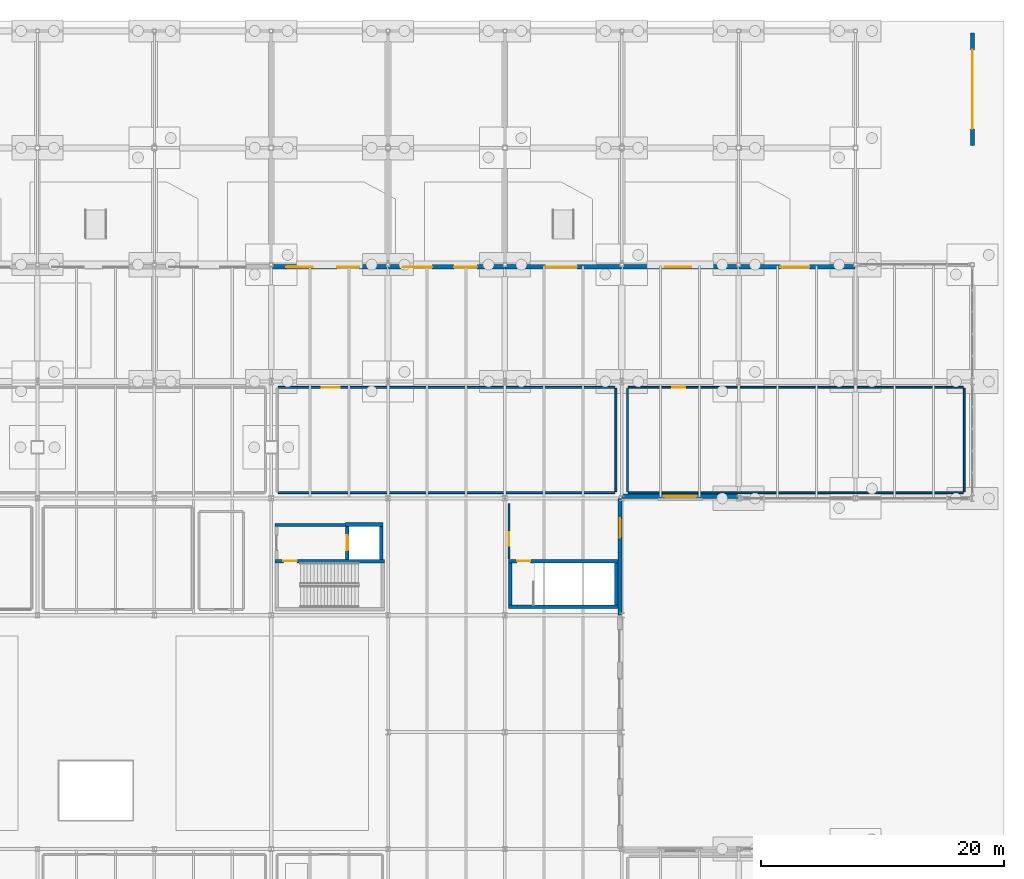
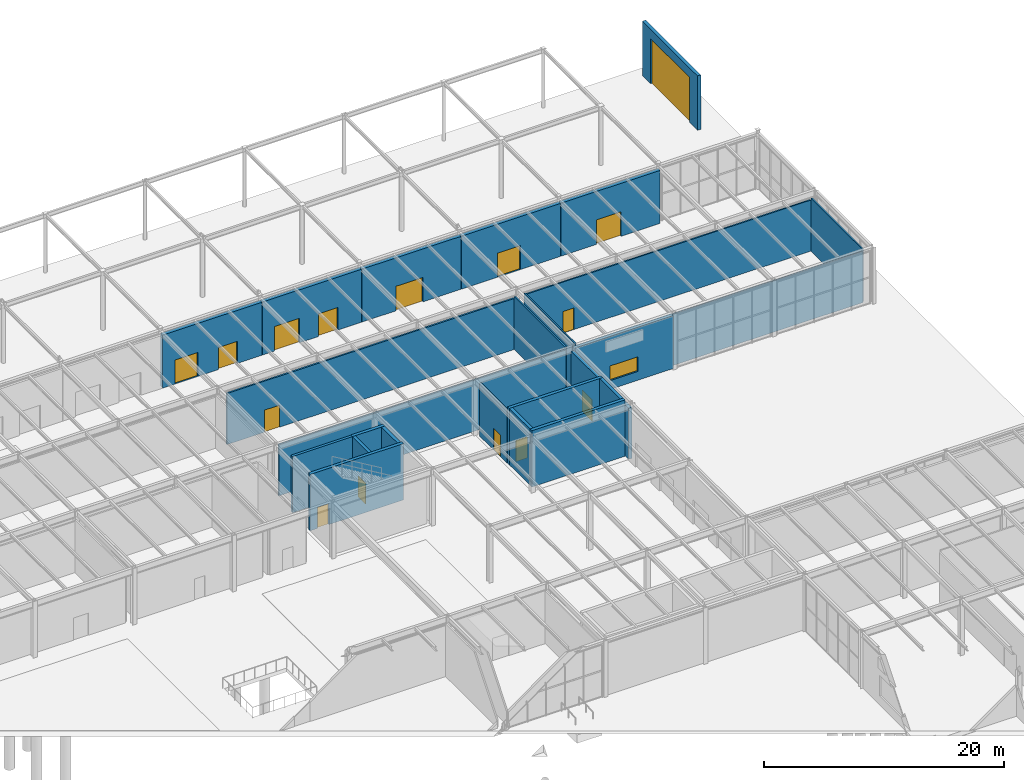
# One storey, part 125 of 142: 25 walls, 15 doors, 1 window, 16 openings.
"""IFC4 building model written with IfcOpenShell, lengths in metres."""

from ifc_helpers import new_model, si_unit, direction, frame, frame_2d, origin, place, context, subcontext, project, spatial, rectangle, extrude, material, layer, layer_set, type_object, element, fill, save


model = new_model("IFC4")

# Units and contexts
model_context = context("Model", 3, precision=1e-05, world=origin(), true_north=direction((0.0, 1.0)))
body_context = subcontext(model_context, "Body", "Model", "MODEL_VIEW")
ifc_project = project(units=[si_unit("LENGTHUNIT", "METRE"), si_unit("AREAUNIT", "SQUARE_METRE"), si_unit("VOLUMEUNIT", "CUBIC_METRE"), si_unit("PLANEANGLEUNIT", "RADIAN"), si_unit("MASSUNIT", "GRAM", prefix="KILO")], contexts=[model_context])

# Site, building, storey
site_placement = place(None, origin())
site = spatial("IfcSite", under=ifc_project, at=site_placement, CompositionType="ELEMENT")
building_placement = place(site_placement, origin())
building = spatial("IfcBuilding", under=site, at=building_placement, Name="Coralgate Yard Interchange", CompositionType="ELEMENT")
storey_placement = place(building_placement, origin())
storey = spatial("IfcBuildingStorey", under=building, at=storey_placement, Name="L00", CompositionType="ELEMENT", Elevation=0.0)

# Wall
ifc_material_1 = material(Name="Concrete C40/50", Category="concrete")
ifc_layer_1 = layer(ifc_material_1, 0.300048828125)
ifc_layer_set_1 = layer_set([ifc_layer_1], Name="Concrete C40/50")
wall_type_1 = type_object("IfcWallType", Name="WAL-CW300", PredefinedType="SHEAR", material=ifc_layer_set_1)
wall_1_placement = place(storey_placement, frame((144.300048828125, 67.909912109375, 0.0), z_axis=(0.0, 0.0, 1.0), x_axis=(1.0, 0.0, 0.0)))
element("IfcWall", 1, at=wall_1_placement, inside=storey, type_object=wall_type_1, Name="C11 L00 stair south shear wall", PredefinedType="SHEAR", context=body_context, shape_type="SweptSolid", body=[
    extrude(rectangle(XDim=9.0, YDim=0.300048828125, at=frame_2d((4.5, 0.0))), origin(), (0.0, 0.0, 1.0), 5.75),
])

# Wall, opening, door
wall_2_placement = place(storey_placement, frame((153.300048828125, 71.64990234375, 0.0), z_axis=(0.0, 0.0, 1.0), x_axis=(-1.0, 0.0, 0.0)))
wall_2 = element("IfcWall", 2, at=wall_2_placement, inside=storey, type_object=wall_type_1, Name="C11 L00 stair north shear wall", PredefinedType="SHEAR", context=body_context, shape_type="SweptSolid", body=[
    extrude(rectangle(XDim=9.0, YDim=0.300048828125, at=frame_2d((4.5, 0.0))), origin(), (0.0, 0.0, 1.0), 5.75),
])
opening_1_placement = place(wall_2_placement, frame((7.199951171875, 0.0, 0.0)))
opening_1 = element("IfcOpeningElement", 3, at=opening_1_placement, cuts=wall_2, Name="Opening FD-1", PredefinedType="OPENING", context=body_context, shape_type="SweptSolid", body=[
    extrude(rectangle(XDim=1.10009765625, YDim=2.14990234375, at=frame_2d((0.550048828125, 1.074951171875))), frame((0.0, 0.159912109375, 0.0), z_axis=(0.0, -1.0, 0.0), x_axis=(1.0, 0.0, 0.0)), (0.0, 0.0, 1.0), 0.320068359375),
])
ifc_material_2 = material(Name="Powder-coated steel fire door assembly", Category="steel")
door_type_1 = type_object("IfcDoorType", Name="DOR-FD-1", OperationType="NOTDEFINED", PredefinedType="DOOR", material=ifc_material_2)
door_1_placement = place(opening_1_placement, origin())
door_1 = element("IfcDoor", 4, at=door_1_placement, inside=storey, type_object=door_type_1, Name="C11 L00 stair fire door", OperationType="SINGLE_SWING_LEFT", OverallHeight=2.14990234375, OverallWidth=1.10009765625, PredefinedType="DOOR", context=body_context, shape_type="SweptSolid", body=[
    extrude(rectangle(XDim=1.10009765625, YDim=2.14990234375, at=frame_2d((0.550048828125, 1.074951171875))), frame((0.0, 0.02490234375, 0.0), z_axis=(0.0, -1.0, 0.0), x_axis=(1.0, 0.0, 0.0)), (0.0, 0.0, 1.0), 0.050048828125),
])
fill(opening_1, door_1)

# Walls
for number, where, z_axis, x_axis, name in (
    (5, (144.449951171875, 68.06005859375, 0.0), (0.0, 0.0, 1.0), (0.0, 1.0, 0.0), "C11 L00 stair west shear wall"),
    (6, (153.14990234375, 71.5, 0.0), (0.0, 0.0, 1.0), (0.0, -1.0, 0.0), "C11 L00 stair east shear wall"),
):
    element("IfcWall", number, at=place(storey_placement, frame(where, z_axis=z_axis, x_axis=x_axis)), inside=storey, type_object=wall_type_1, Name=name, PredefinedType="SHEAR", context=body_context, shape_type="SweptSolid", body=[
        extrude(rectangle(XDim=3.43994140625, YDim=0.300048828125, at=frame_2d((1.719970703125, 0.0))), origin(), (0.0, 0.0, 1.0), 5.75),
    ])

# Wall, opening, door
wall_3_placement = place(storey_placement, frame((134.10009765625, 71.64990234375, 0.0), z_axis=(0.0, 0.0, 1.0), x_axis=(-1.0, 0.0, 0.0)))
wall_3 = element("IfcWall", 7, at=wall_3_placement, inside=storey, type_object=wall_type_1, Name="C7 L00 stair north shear wall", PredefinedType="SHEAR", context=body_context, shape_type="SweptSolid", body=[
    extrude(rectangle(XDim=9.0, YDim=0.300048828125, at=frame_2d((4.5, 0.0))), origin(), (0.0, 0.0, 1.0), 5.75),
])
opening_2_placement = place(wall_3_placement, frame((7.199951171875, 0.0, 0.0)))
opening_2 = element("IfcOpeningElement", 8, at=opening_2_placement, cuts=wall_3, Name="Opening FD-1", PredefinedType="OPENING", context=body_context, shape_type="SweptSolid", body=[
    extrude(rectangle(XDim=1.10009765625, YDim=2.14990234375, at=frame_2d((0.550048828125, 1.074951171875))), frame((0.0, 0.159912109375, 0.0), z_axis=(0.0, -1.0, 0.0), x_axis=(1.0, 0.0, 0.0)), (0.0, 0.0, 1.0), 0.320068359375),
])
door_2_placement = place(opening_2_placement, origin())
door_2 = element("IfcDoor", 9, at=door_2_placement, inside=storey, type_object=door_type_1, Name="C7 L00 stair fire door", OperationType="SINGLE_SWING_LEFT", OverallHeight=2.14990234375, OverallWidth=1.10009765625, PredefinedType="DOOR", context=body_context, shape_type="SweptSolid", body=[
    extrude(rectangle(XDim=1.10009765625, YDim=2.14990234375, at=frame_2d((0.550048828125, 1.074951171875))), frame((0.0, 0.02490234375, 0.0), z_axis=(0.0, -1.0, 0.0), x_axis=(1.0, 0.0, 0.0)), (0.0, 0.0, 1.0), 0.050048828125),
])
fill(opening_2, door_2)

wall_4_placement = place(storey_placement, frame((131.050048828125, 74.5, 0.0), z_axis=(0.0, 0.0, 1.0), x_axis=(0.0, -1.0, 0.0)))
wall_4 = element("IfcWall", 10, at=wall_4_placement, inside=storey, type_object=wall_type_1, Name="C7 L00 lift front shear wall", PredefinedType="SHEAR", context=body_context, shape_type="SweptSolid", body=[
    extrude(rectangle(XDim=2.699951171875, YDim=0.300048828125, at=frame_2d((1.35009765625, 0.0))), origin(), (0.0, 0.0, 1.0), 5.75),
])
opening_3_placement = place(wall_4_placement, frame((0.739990234375, 0.0, 0.0)))
opening_3 = element("IfcOpeningElement", 11, at=opening_3_placement, cuts=wall_4, Name="Opening LD-3", PredefinedType="OPENING", context=body_context, shape_type="SweptSolid", body=[
    extrude(rectangle(XDim=1.219970703125, YDim=2.14990234375, at=frame_2d((0.60986328125, 1.074951171875))), frame((0.0, 0.159912109375, 0.0), z_axis=(0.0, -1.0, 0.0), x_axis=(1.0, 0.0, 0.0)), (0.0, 0.0, 1.0), 0.320068359375),
])
ifc_material_3 = material(Name="Brushed stainless steel concourse lift landing door", Category="steel")
door_type_2 = type_object("IfcDoorType", Name="DOR-LD-3", OperationType="DOUBLE_DOOR_SLIDING", PredefinedType="DOOR", material=ifc_material_3)
door_3_placement = place(opening_3_placement, frame((1.219970703125, 0.0, 0.0), z_axis=(0.0, 0.0, 1.0), x_axis=(-1.0, 0.0, 0.0)))
door_3 = element("IfcDoor", 12, at=door_3_placement, inside=storey, type_object=door_type_2, Name="LF-05 L00 sliding lift landing door", OperationType="DOUBLE_DOOR_SLIDING", OverallHeight=2.14990234375, OverallWidth=1.219970703125, PredefinedType="DOOR", context=body_context, shape_type="SweptSolid", body=[
    extrude(rectangle(XDim=1.219970703125, YDim=2.14990234375, at=frame_2d((0.60986328125, 1.074951171875))), frame((0.0, 0.02490234375, 0.0), z_axis=(0.0, -1.0, 0.0), x_axis=(1.0, 0.0, 0.0)), (0.0, 0.0, 1.0), 0.050048828125),
])
fill(opening_3, door_3)

# Walls
wall_5_placement = place(storey_placement, frame((133.85009765625, 71.800048828125, 0.0), z_axis=(0.0, 0.0, 1.0), x_axis=(0.0, 1.0, 0.0)))
element("IfcWall", 13, at=wall_5_placement, inside=storey, type_object=wall_type_1, Name="C7 L00 lift rear shear wall", PredefinedType="SHEAR", context=body_context, shape_type="SweptSolid", body=[
    extrude(rectangle(XDim=2.699951171875, YDim=0.300048828125, at=frame_2d((1.35009765625, 0.0))), origin(), (0.0, 0.0, 1.0), 5.75),
])
wall_6_placement = place(storey_placement, frame((130.89990234375, 74.64990234375, 0.0), z_axis=(0.0, 0.0, 1.0), x_axis=(1.0, 0.0, 0.0)))
element("IfcWall", 14, at=wall_6_placement, inside=storey, type_object=wall_type_1, Name="C7 L00 lift north shear wall", PredefinedType="SHEAR", context=body_context, shape_type="SweptSolid", body=[
    extrude(rectangle(XDim=3.10009765625, YDim=0.300048828125, at=frame_2d((1.550048828125, 0.0))), origin(), (0.0, 0.0, 1.0), 5.75),
])

# Wall, opening, door
ifc_material_4 = material(Name="Precast concrete C40/50", Category="concrete")
ifc_layer_2 = layer(ifc_material_4, 0.320068359375)
ifc_layer_set_2 = layer_set([ifc_layer_2], Name="Precast concrete C40/50")
wall_type_2 = type_object("IfcWallType", Name="WAL-EW-320", PredefinedType="SOLIDWALL", material=ifc_layer_set_2)
wall_7_placement = place(storey_placement, frame((153.469970703125, 76.780029296875, 0.0), z_axis=(0.0, 0.0, 1.0), x_axis=(0.0, -1.0, 0.0)))
wall_7 = element("IfcWall", 15, at=wall_7_placement, inside=storey, type_object=wall_type_2, Name="L00 exterior coastal wall E 15-7", PredefinedType="SOLIDWALL", context=body_context, shape_type="SweptSolid", body=[
    extrude(rectangle(XDim=9.56005859375, YDim=0.320068359375, at=frame_2d((4.780029296875, 0.0))), origin(), (0.0, 0.0, 1.0), 5.216796875),
])
opening_4_placement = place(wall_7_placement, frame((1.60009765625, 0.0, 0.0)))
opening_4 = element("IfcOpeningElement", 16, at=opening_4_placement, cuts=wall_7, Name="Opening ED-4", PredefinedType="OPENING", context=body_context, shape_type="SweptSolid", body=[
    extrude(rectangle(XDim=1.60009765625, YDim=2.199951171875, at=frame_2d((0.800048828125, 1.10009765625))), frame((0.0, 0.169921875, 0.0), z_axis=(0.0, -1.0, 0.0), x_axis=(1.0, 0.0, 0.0)), (0.0, 0.0, 1.0), 0.340087890625),
])
ifc_material_5 = material(Name="Powder-coated steel emergency exit double door", Category="steel")
door_type_3 = type_object("IfcDoorType", Name="DOR-ED-4", OperationType="NOTDEFINED", PredefinedType="DOOR", material=ifc_material_5)
door_4_placement = place(opening_4_placement, origin())
door_4 = element("IfcDoor", 17, at=door_4_placement, inside=storey, type_object=door_type_3, Name="Core emergency exit door ED-C35", OperationType="DOUBLE_DOOR_SINGLE_SWING", OverallHeight=2.199951171875, OverallWidth=1.60009765625, PredefinedType="DOOR", context=body_context, shape_type="SweptSolid", body=[
    extrude(rectangle(XDim=1.60009765625, YDim=2.199951171875, at=frame_2d((0.800048828125, 1.10009765625))), frame((0.0, 0.02490234375, 0.0), z_axis=(0.0, -1.0, 0.0), x_axis=(1.0, 0.0, 0.0)), (0.0, 0.0, 1.0), 0.050048828125),
])
fill(opening_4, door_4)

wall_8_placement = place(storey_placement, frame((182.39990234375, 105.81005859375, 0.0), z_axis=(0.0, 0.0, 1.0), x_axis=(0.0, 1.0, 0.0)))
wall_8 = element("IfcWall", 18, at=wall_8_placement, inside=storey, type_object=wall_type_2, Name="Vehicle entrance portal wall VG-01", PredefinedType="SOLIDWALL", context=body_context, shape_type="SweptSolid", body=[
    extrude(rectangle(XDim=9.219970703125, YDim=0.320068359375, at=frame_2d((4.60986328125, 0.0))), origin(), (0.0, 0.0, 1.0), 5.550048828125),
])
opening_5_placement = place(wall_8_placement, frame((1.340087890625, 0.0, 0.0)))
opening_5 = element("IfcOpeningElement", 19, at=opening_5_placement, cuts=wall_8, Name="Opening VG-1", PredefinedType="OPENING", context=body_context, shape_type="SweptSolid", body=[
    extrude(rectangle(XDim=6.5, YDim=4.60009765625, at=frame_2d((3.25, 2.300048828125))), frame((0.0, 0.169921875, 0.0), z_axis=(0.0, -1.0, 0.0), x_axis=(1.0, 0.0, 0.0)), (0.0, 0.0, 1.0), 0.340087890625),
])
ifc_material_6 = material(Name="Galvanised steel automated vehicle entrance gate", Category="steel")
door_type_4 = type_object("IfcDoorType", Name="DOR-VG-1", OperationType="DOUBLE_DOOR_SLIDING", PredefinedType="GATE", material=ifc_material_6)
door_5_placement = place(opening_5_placement, origin())
door_5 = element("IfcDoor", 20, at=door_5_placement, inside=storey, type_object=door_type_4, Name="Vehicle Entrance Gate VG-01", OperationType="DOUBLE_DOOR_SLIDING", OverallHeight=4.60009765625, OverallWidth=6.5, PredefinedType="GATE", context=body_context, shape_type="SweptSolid", body=[
    extrude(rectangle(XDim=6.5, YDim=4.60009765625, at=frame_2d((3.25, 2.300048828125))), frame((0.0, 0.02490234375, 0.0), z_axis=(0.0, -1.0, 0.0), x_axis=(1.0, 0.0, 0.0)), (0.0, 0.0, 1.0), 0.050048828125),
])
fill(opening_5, door_5)

# Wall, openings, doors
ifc_layer_3 = layer(ifc_material_4, 0.35009765625)
ifc_layer_set_3 = layer_set([ifc_layer_3], Name="Precast concrete C40/50")
wall_type_3 = type_object("IfcWallType", Name="WAL-EW-350", PredefinedType="SOLIDWALL", material=ifc_layer_set_3)
wall_9_placement = place(storey_placement, frame((124.820068359375, 95.824951171875, 0.0), z_axis=(0.0, 0.0, 1.0), x_axis=(1.0, 0.0, 0.0)))
wall_9 = element("IfcWall", 21, at=wall_9_placement, inside=storey, type_object=wall_type_3, Name="L00 exterior coastal wall N 13-9", PredefinedType="SOLIDWALL", context=body_context, shape_type="SweptSolid", body=[
    extrude(rectangle(XDim=9.559814453125, YDim=0.35009765625, at=frame_2d((4.77978515625, 0.0))), origin(), (0.0, 0.0, 1.0), 5.39990234375),
])
opening_6_placement = place(wall_9_placement, frame((1.199951171875, 0.0, 0.0)))
opening_6 = element("IfcOpeningElement", 22, at=opening_6_placement, cuts=wall_9, Name="Opening ED-5", PredefinedType="OPENING", context=body_context, shape_type="SweptSolid", body=[
    extrude(rectangle(XDim=2.199951171875, YDim=2.449951171875, at=frame_2d((1.10009765625, 1.22509765625))), frame((0.0, 0.18505859375, 0.0), z_axis=(0.0, -1.0, 0.0), x_axis=(1.0, 0.0, 0.0)), (0.0, 0.0, 1.0), 0.3701171875),
])
opening_7_placement = place(wall_9_placement, frame((5.39990234375, 0.0, 0.0)))
opening_7 = element("IfcOpeningElement", 23, at=opening_7_placement, cuts=wall_9, Name="Opening ED-3", PredefinedType="OPENING", context=body_context, shape_type="SweptSolid", body=[
    extrude(rectangle(XDim=1.800048828125, YDim=2.25, at=frame_2d((0.89990234375, 1.125))), frame((0.0, 0.18505859375, 0.0), z_axis=(0.0, -1.0, 0.0), x_axis=(1.0, 0.0, 0.0)), (0.0, 0.0, 1.0), 0.3701171875),
])
ifc_material_7 = material(Name="Anodised aluminium passenger waiting exit double door", Category="aluminium")
door_type_5 = type_object("IfcDoorType", Name="DOR-ED-3", OperationType="NOTDEFINED", PredefinedType="DOOR", material=ifc_material_7)
door_6_placement = place(opening_7_placement, origin())
door_6 = element("IfcDoor", 24, at=door_6_placement, inside=storey, type_object=door_type_5, Name="L00 final exit double door ED-27", OperationType="DOUBLE_DOOR_SINGLE_SWING", OverallHeight=2.25, OverallWidth=1.800048828125, PredefinedType="DOOR", context=body_context, shape_type="SweptSolid", body=[
    extrude(rectangle(XDim=1.800048828125, YDim=2.25, at=frame_2d((0.89990234375, 1.125))), frame((0.0, 0.02490234375, 0.0), z_axis=(0.0, -1.0, 0.0), x_axis=(1.0, 0.0, 0.0)), (0.0, 0.0, 1.0), 0.050048828125),
])
fill(opening_7, door_6)
ifc_material_8 = material(Name="Anodised aluminium ticket-hall entrance double door", Category="aluminium")
door_type_6 = type_object("IfcDoorType", Name="DOR-ED-5", OperationType="NOTDEFINED", PredefinedType="DOOR", material=ifc_material_8)
door_7_placement = place(opening_6_placement, origin())
door_7 = element("IfcDoor", 25, at=door_7_placement, inside=storey, type_object=door_type_6, Name="L00 final exit double door ED-26", OperationType="DOUBLE_DOOR_SINGLE_SWING", OverallHeight=2.449951171875, OverallWidth=2.199951171875, PredefinedType="DOOR", context=body_context, shape_type="SweptSolid", body=[
    extrude(rectangle(XDim=2.199951171875, YDim=2.449951171875, at=frame_2d((1.10009765625, 1.22509765625))), frame((0.0, 0.02490234375, 0.0), z_axis=(0.0, -1.0, 0.0), x_axis=(1.0, 0.0, 0.0)), (0.0, 0.0, 1.0), 0.050048828125),
])
fill(opening_6, door_7)

wall_10_placement = place(storey_placement, frame((134.419921875, 95.824951171875, 0.0), z_axis=(0.0, 0.0, 1.0), x_axis=(1.0, 0.0, 0.0)))
wall_10 = element("IfcWall", 26, at=wall_10_placement, inside=storey, type_object=wall_type_3, Name="L00 exterior coastal wall N 14-9", PredefinedType="SOLIDWALL", context=body_context, shape_type="SweptSolid", body=[
    extrude(rectangle(XDim=9.56005859375, YDim=0.35009765625, at=frame_2d((4.780029296875, 0.0))), origin(), (0.0, 0.0, 1.0), 5.39990234375),
])
opening_8_placement = place(wall_10_placement, frame((1.199951171875, 0.0, 0.0)))
opening_8 = element("IfcOpeningElement", 27, at=opening_8_placement, cuts=wall_10, Name="Opening ED-2", PredefinedType="OPENING", context=body_context, shape_type="SweptSolid", body=[
    extrude(rectangle(XDim=2.39990234375, YDim=2.5, at=frame_2d((1.199951171875, 1.25))), frame((0.0, 0.18505859375, 0.0), z_axis=(0.0, -1.0, 0.0), x_axis=(1.0, 0.0, 0.0)), (0.0, 0.0, 1.0), 0.3701171875),
])
opening_9_placement = place(wall_10_placement, frame((5.39990234375, 0.0, 0.0)))
opening_9 = element("IfcOpeningElement", 28, at=opening_9_placement, cuts=wall_10, Name="Opening ED-7", PredefinedType="OPENING", context=body_context, shape_type="SweptSolid", body=[
    extrude(rectangle(XDim=1.89990234375, YDim=2.300048828125, at=frame_2d((0.949951171875, 1.14990234375))), frame((0.0, 0.18505859375, 0.0), z_axis=(0.0, -1.0, 0.0), x_axis=(1.0, 0.0, 0.0)), (0.0, 0.0, 1.0), 0.3701171875),
])
ifc_material_9 = material(Name="Anodised aluminium concourse entrance double door", Category="aluminium")
door_type_7 = type_object("IfcDoorType", Name="DOR-ED-2", OperationType="NOTDEFINED", PredefinedType="DOOR", material=ifc_material_9)
door_8_placement = place(opening_8_placement, origin())
door_8 = element("IfcDoor", 29, at=door_8_placement, inside=storey, type_object=door_type_7, Name="L00 final exit double door ED-28", OperationType="DOUBLE_DOOR_SINGLE_SWING", OverallHeight=2.5, OverallWidth=2.39990234375, PredefinedType="DOOR", context=body_context, shape_type="SweptSolid", body=[
    extrude(rectangle(XDim=2.39990234375, YDim=2.5, at=frame_2d((1.199951171875, 1.25))), frame((0.0, 0.02490234375, 0.0), z_axis=(0.0, -1.0, 0.0), x_axis=(1.0, 0.0, 0.0)), (0.0, 0.0, 1.0), 0.050048828125),
])
fill(opening_8, door_8)
ifc_material_10 = material(Name="Anodised aluminium bus-apron boarding double door", Category="aluminium")
door_type_8 = type_object("IfcDoorType", Name="DOR-ED-7", OperationType="NOTDEFINED", PredefinedType="DOOR", material=ifc_material_10)
door_9_placement = place(opening_9_placement, origin())
door_9 = element("IfcDoor", 30, at=door_9_placement, inside=storey, type_object=door_type_8, Name="L00 final exit double door ED-29", OperationType="DOUBLE_DOOR_SINGLE_SWING", OverallHeight=2.300048828125, OverallWidth=1.89990234375, PredefinedType="DOOR", context=body_context, shape_type="SweptSolid", body=[
    extrude(rectangle(XDim=1.89990234375, YDim=2.300048828125, at=frame_2d((0.949951171875, 1.14990234375))), frame((0.0, 0.02490234375, 0.0), z_axis=(0.0, -1.0, 0.0), x_axis=(1.0, 0.0, 0.0)), (0.0, 0.0, 1.0), 0.050048828125),
])
fill(opening_9, door_9)

# Wall, opening, door
wall_11_placement = place(storey_placement, frame((144.02001953125, 95.824951171875, 0.0), z_axis=(0.0, 0.0, 1.0), x_axis=(1.0, 0.0, 0.0)))
wall_11 = element("IfcWall", 31, at=wall_11_placement, inside=storey, type_object=wall_type_3, Name="L00 exterior coastal wall N 15-9", PredefinedType="SOLIDWALL", context=body_context, shape_type="SweptSolid", body=[
    extrude(rectangle(XDim=9.56005859375, YDim=0.35009765625, at=frame_2d((4.780029296875, 0.0))), origin(), (0.0, 0.0, 1.0), 5.39990234375),
])
opening_10_placement = place(wall_11_placement, frame((3.300048828125, 0.0, 0.0)))
opening_10 = element("IfcOpeningElement", 32, at=opening_10_placement, cuts=wall_11, Name="Opening ED-6", PredefinedType="OPENING", context=body_context, shape_type="SweptSolid", body=[
    extrude(rectangle(XDim=2.60009765625, YDim=2.5, at=frame_2d((1.300048828125, 1.25))), frame((0.0, 0.18505859375, 0.0), z_axis=(0.0, -1.0, 0.0), x_axis=(1.0, 0.0, 0.0)), (0.0, 0.0, 1.0), 0.3701171875),
])
ifc_material_11 = material(Name="Anodised aluminium main concourse double door", Category="aluminium")
door_type_9 = type_object("IfcDoorType", Name="DOR-ED-6", OperationType="NOTDEFINED", PredefinedType="DOOR", material=ifc_material_11)
door_10_placement = place(opening_10_placement, origin())
door_10 = element("IfcDoor", 33, at=door_10_placement, inside=storey, type_object=door_type_9, Name="L00 final exit double door ED-36", OperationType="DOUBLE_DOOR_SINGLE_SWING", OverallHeight=2.5, OverallWidth=2.60009765625, PredefinedType="DOOR", context=body_context, shape_type="SweptSolid", body=[
    extrude(rectangle(XDim=2.60009765625, YDim=2.5, at=frame_2d((1.300048828125, 1.25))), frame((0.0, 0.02490234375, 0.0), z_axis=(0.0, -1.0, 0.0), x_axis=(1.0, 0.0, 0.0)), (0.0, 0.0, 1.0), 0.050048828125),
])
fill(opening_10, door_10)

# Wall, opening, window
wall_12_placement = place(storey_placement, frame((163.179931640625, 76.97509765625, 0.0), z_axis=(0.0, 0.0, 1.0), x_axis=(-1.0, 0.0, 0.0)))
wall_12 = element("IfcWall", 34, at=wall_12_placement, inside=storey, type_object=wall_type_3, Name="L00 exterior coastal wall S 16-8", PredefinedType="SOLIDWALL", context=body_context, shape_type="SweptSolid", body=[
    extrude(rectangle(XDim=9.559814453125, YDim=0.35009765625, at=frame_2d((4.77978515625, 0.0))), origin(), (0.0, 0.0, 1.0), 5.39990234375),
])
opening_11_placement = place(wall_12_placement, frame((3.429931640625, 0.0, 0.89990234375)))
opening_11 = element("IfcOpeningElement", 35, at=opening_11_placement, cuts=wall_12, Name="Opening W-09", PredefinedType="OPENING", context=body_context, shape_type="SweptSolid", body=[
    extrude(rectangle(XDim=2.699951171875, YDim=1.5, at=frame_2d((1.35009765625, 0.75))), frame((0.0, 0.18505859375, 0.0), z_axis=(0.0, -1.0, 0.0), x_axis=(1.0, 0.0, 0.0)), (0.0, 0.0, 1.0), 0.3701171875),
])
ifc_material_12 = material(Name="Thermally broken anodised aluminium and solar-control low-E glass", Category="aluminium")
window_type = type_object("IfcWindowType", Name="WIN-W-09", PartitioningType="SINGLE_PANEL", PredefinedType="WINDOW", material=ifc_material_12)
window_placement = place(opening_11_placement, origin())
window = element("IfcWindow", 36, at=window_placement, inside=storey, type_object=window_type, Name="L00 coastal facade window S-16-8", OverallHeight=1.5, OverallWidth=2.699951171875, PartitioningType="SINGLE_PANEL", PredefinedType="WINDOW", context=body_context, shape_type="SweptSolid", body=[
    extrude(rectangle(XDim=2.699951171875, YDim=1.5, at=frame_2d((1.35009765625, 0.75))), frame((0.0, 0.030029296875, 0.0), z_axis=(0.0, -1.0, 0.0), x_axis=(1.0, 0.0, 0.0)), (0.0, 0.0, 1.0), 0.06005859375),
])
fill(opening_11, window)

# Wall, opening, door
wall_13_placement = place(storey_placement, frame((153.6201171875, 95.824951171875, 0.0), z_axis=(0.0, 0.0, 1.0), x_axis=(1.0, 0.0, 0.0)))
wall_13 = element("IfcWall", 37, at=wall_13_placement, inside=storey, type_object=wall_type_3, Name="L00 exterior coastal wall N 16-9", PredefinedType="SOLIDWALL", context=body_context, shape_type="SweptSolid", body=[
    extrude(rectangle(XDim=9.559814453125, YDim=0.35009765625, at=frame_2d((4.77978515625, 0.0))), origin(), (0.0, 0.0, 1.0), 5.39990234375),
])
opening_12_placement = place(wall_13_placement, frame((3.5, 0.0, 0.0)))
opening_12 = element("IfcOpeningElement", 38, at=opening_12_placement, cuts=wall_13, Name="Opening ED-5", PredefinedType="OPENING", context=body_context, shape_type="SweptSolid", body=[
    extrude(rectangle(XDim=2.199951171875, YDim=2.449951171875, at=frame_2d((1.10009765625, 1.22509765625))), frame((0.0, 0.18505859375, 0.0), z_axis=(0.0, -1.0, 0.0), x_axis=(1.0, 0.0, 0.0)), (0.0, 0.0, 1.0), 0.3701171875),
])
door_11_placement = place(opening_12_placement, origin())
door_11 = element("IfcDoor", 39, at=door_11_placement, inside=storey, type_object=door_type_6, Name="L00 final exit double door ED-37", OperationType="DOUBLE_DOOR_SINGLE_SWING", OverallHeight=2.449951171875, OverallWidth=2.199951171875, PredefinedType="DOOR", context=body_context, shape_type="SweptSolid", body=[
    extrude(rectangle(XDim=2.199951171875, YDim=2.449951171875, at=frame_2d((1.10009765625, 1.22509765625))), frame((0.0, 0.02490234375, 0.0), z_axis=(0.0, -1.0, 0.0), x_axis=(1.0, 0.0, 0.0)), (0.0, 0.0, 1.0), 0.050048828125),
])
fill(opening_12, door_11)

wall_14_placement = place(storey_placement, frame((163.219970703125, 95.824951171875, 0.0), z_axis=(0.0, 0.0, 1.0), x_axis=(1.0, 0.0, 0.0)))
wall_14 = element("IfcWall", 40, at=wall_14_placement, inside=storey, type_object=wall_type_3, Name="L00 exterior coastal wall N 17-9", PredefinedType="SOLIDWALL", context=body_context, shape_type="SweptSolid", body=[
    extrude(rectangle(XDim=9.56005859375, YDim=0.35009765625, at=frame_2d((4.780029296875, 0.0))), origin(), (0.0, 0.0, 1.0), 5.39990234375),
])
opening_13_placement = place(wall_14_placement, frame((3.39990234375, 0.0, 0.0)))
opening_13 = element("IfcOpeningElement", 41, at=opening_13_placement, cuts=wall_14, Name="Opening ED-2", PredefinedType="OPENING", context=body_context, shape_type="SweptSolid", body=[
    extrude(rectangle(XDim=2.39990234375, YDim=2.5, at=frame_2d((1.199951171875, 1.25))), frame((0.0, 0.18505859375, 0.0), z_axis=(0.0, -1.0, 0.0), x_axis=(1.0, 0.0, 0.0)), (0.0, 0.0, 1.0), 0.3701171875),
])
door_12_placement = place(opening_13_placement, origin())
door_12 = element("IfcDoor", 42, at=door_12_placement, inside=storey, type_object=door_type_7, Name="L00 final exit double door ED-38", OperationType="DOUBLE_DOOR_SINGLE_SWING", OverallHeight=2.5, OverallWidth=2.39990234375, PredefinedType="DOOR", context=body_context, shape_type="SweptSolid", body=[
    extrude(rectangle(XDim=2.39990234375, YDim=2.5, at=frame_2d((1.199951171875, 1.25))), frame((0.0, 0.02490234375, 0.0), z_axis=(0.0, -1.0, 0.0), x_axis=(1.0, 0.0, 0.0)), (0.0, 0.0, 1.0), 0.050048828125),
])
fill(opening_13, door_12)

# Wall
ifc_material_13 = material(Name="Acoustic twin-stud office partition")
ifc_layer_4 = layer(ifc_material_13, 0.139892578125)
ifc_layer_set_4 = layer_set([ifc_layer_4], Name="Acoustic twin-stud office partition")
wall_type_4 = type_object("IfcWallType", Name="WAL-PW-140", PredefinedType="PARTITIONING", material=ifc_layer_set_4)
wall_15_placement = place(storey_placement, frame((181.659912109375, 77.27001953125, 0.0), z_axis=(0.0, 0.0, 1.0), x_axis=(-1.0, 0.0, 0.0)))
element("IfcWall", 43, at=wall_15_placement, inside=storey, type_object=wall_type_4, Name="Apron Bus Dispatchers Office partition S", PredefinedType="PARTITIONING", context=body_context, shape_type="SweptSolid", body=[
    extrude(rectangle(XDim=27.52001953125, YDim=0.139892578125, at=frame_2d((13.760009765625, 0.0))), origin(), (0.0, 0.0, 1.0), 5.206787109375),
])

# Wall, opening, door
wall_16_placement = place(storey_placement, frame((154.139892578125, 85.929931640625, 0.0), z_axis=(0.0, 0.0, 1.0), x_axis=(1.0, 0.0, 0.0)))
wall_16 = element("IfcWall", 44, at=wall_16_placement, inside=storey, type_object=wall_type_4, Name="Apron Bus Dispatchers Office partition N", PredefinedType="PARTITIONING", context=body_context, shape_type="SweptSolid", body=[
    extrude(rectangle(XDim=27.52001953125, YDim=0.139892578125, at=frame_2d((13.760009765625, 0.0))), origin(), (0.0, 0.0, 1.0), 5.206787109375),
])
opening_14_placement = place(wall_16_placement, frame((3.60009765625, 0.0, 0.0)))
opening_14 = element("IfcOpeningElement", 45, at=opening_14_placement, cuts=wall_16, Name="Opening ID-25", PredefinedType="OPENING", context=body_context, shape_type="SweptSolid", body=[
    extrude(rectangle(XDim=1.06005859375, YDim=2.199951171875, at=frame_2d((0.530029296875, 1.10009765625))), frame((0.0, 0.079833984375, 0.0), z_axis=(0.0, -1.0, 0.0), x_axis=(1.0, 0.0, 0.0)), (0.0, 0.0, 1.0), 0.159912109375),
])
ifc_material_14 = material(Name="Acoustic hardwood dispatch office door", Category="wood")
door_type_10 = type_object("IfcDoorType", Name="DOR-ID-25", OperationType="NOTDEFINED", PredefinedType="DOOR", material=ifc_material_14)
door_13_placement = place(opening_14_placement, origin())
door_13 = element("IfcDoor", 46, at=door_13_placement, inside=storey, type_object=door_type_10, Name="Apron Bus Dispatchers Office door", OperationType="SINGLE_SWING_LEFT", OverallHeight=2.199951171875, OverallWidth=1.06005859375, PredefinedType="DOOR", context=body_context, shape_type="SweptSolid", body=[
    extrude(rectangle(XDim=1.06005859375, YDim=2.199951171875, at=frame_2d((0.530029296875, 1.10009765625))), frame((0.0, 0.02490234375, 0.0), z_axis=(0.0, -1.0, 0.0), x_axis=(1.0, 0.0, 0.0)), (0.0, 0.0, 1.0), 0.050048828125),
])
fill(opening_14, door_13)

# Walls
for number, where, z_axis, x_axis, name in (
    (47, (154.070068359375, 77.340087890625, 0.0), (0.0, 0.0, 1.0), (0.0, 1.0, 0.0), "Apron Bus Dispatchers Office partition W"),
    (48, (181.72998046875, 85.860107421875, 0.0), (0.0, 0.0, 1.0), (0.0, -1.0, 0.0), "Apron Bus Dispatchers Office partition E"),
):
    element("IfcWall", number, at=place(storey_placement, frame(where, z_axis=z_axis, x_axis=x_axis)), inside=storey, type_object=wall_type_4, Name=name, PredefinedType="PARTITIONING", context=body_context, shape_type="SweptSolid", body=[
        extrude(rectangle(XDim=8.52001953125, YDim=0.139892578125, at=frame_2d((4.260009765625, 0.0))), origin(), (0.0, 0.0, 1.0), 5.389892578125),
    ])

# Wall, opening, door
ifc_material_15 = material(Name="Fire-rated twin-stud gypsum partition")
ifc_layer_5 = layer(ifc_material_15, 0.159912109375)
ifc_layer_set_5 = layer_set([ifc_layer_5], Name="Fire-rated twin-stud gypsum partition")
wall_type_5 = type_object("IfcWallType", Name="WAL-PW-160", PredefinedType="PARTITIONING", material=ifc_layer_set_5)
wall_17_placement = place(storey_placement, frame((144.320068359375, 71.820068359375, 0.0), z_axis=(0.0, 0.0, 1.0), x_axis=(0.0, 1.0, 0.0)))
wall_17 = element("IfcWall", 49, at=wall_17_placement, inside=storey, type_object=wall_type_5, Name="C11 protected exit passageway west fire wall", PredefinedType="PARTITIONING", context=body_context, shape_type="SweptSolid", body=[
    extrude(rectangle(XDim=4.579833984375, YDim=0.159912109375, at=frame_2d((2.2900390625, 0.0))), origin(), (0.0, 0.0, 1.0), 5.389892578125),
])
opening_15_placement = place(wall_17_placement, frame((1.10009765625, 0.0, 0.0)))
opening_15 = element("IfcOpeningElement", 50, at=opening_15_placement, cuts=wall_17, Name="Opening ID-04", PredefinedType="OPENING", context=body_context, shape_type="SweptSolid", body=[
    extrude(rectangle(XDim=1.10009765625, YDim=2.199951171875, at=frame_2d((0.550048828125, 1.10009765625))), frame((0.0, 0.08984375, 0.0), z_axis=(0.0, -1.0, 0.0), x_axis=(1.0, 0.0, 0.0)), (0.0, 0.0, 1.0), 0.179931640625),
])
ifc_material_16 = material(Name="Fire-resisting acoustic timber corridor door", Category="wood")
door_type_11 = type_object("IfcDoorType", Name="DOR-ID-04", OperationType="NOTDEFINED", PredefinedType="DOOR", material=ifc_material_16)
door_14_placement = place(opening_15_placement, frame((1.10009765625, 0.0, 0.0), z_axis=(0.0, 0.0, 1.0), x_axis=(-1.0, 0.0, 0.0)))
door_14 = element("IfcDoor", 51, at=door_14_placement, inside=storey, type_object=door_type_11, Name="C11 protected exit passageway fire door", OperationType="SINGLE_SWING_LEFT", OverallHeight=2.199951171875, OverallWidth=1.10009765625, PredefinedType="DOOR", context=body_context, shape_type="SweptSolid", body=[
    extrude(rectangle(XDim=1.10009765625, YDim=2.199951171875, at=frame_2d((0.550048828125, 1.10009765625))), frame((0.0, 0.02490234375, 0.0), z_axis=(0.0, -1.0, 0.0), x_axis=(1.0, 0.0, 0.0)), (0.0, 0.0, 1.0), 0.050048828125),
])
fill(opening_15, door_14)

# Wall
wall_18_placement = place(storey_placement, frame((153.0400390625, 77.280029296875, 0.0), z_axis=(0.0, 0.0, 1.0), x_axis=(-1.0, 0.0, 0.0)))
element("IfcWall", 52, at=wall_18_placement, inside=storey, type_object=wall_type_5, Name="Left Luggage and Parcel Counter partition S", PredefinedType="PARTITIONING", context=body_context, shape_type="SweptSolid", body=[
    extrude(rectangle(XDim=27.679931640625, YDim=0.159912109375, at=frame_2d((13.83984375, 0.0))), origin(), (0.0, 0.0, 1.0), 5.206787109375),
])

# Wall, opening, door
wall_19_placement = place(storey_placement, frame((125.360107421875, 85.919921875, 0.0), z_axis=(0.0, 0.0, 1.0), x_axis=(1.0, 0.0, 0.0)))
wall_19 = element("IfcWall", 53, at=wall_19_placement, inside=storey, type_object=wall_type_5, Name="Left Luggage and Parcel Counter partition N", PredefinedType="PARTITIONING", context=body_context, shape_type="SweptSolid", body=[
    extrude(rectangle(XDim=27.679931640625, YDim=0.159912109375, at=frame_2d((13.83984375, 0.0))), origin(), (0.0, 0.0, 1.0), 5.206787109375),
])
opening_16_placement = place(wall_19_placement, frame((3.60009765625, 0.0, 0.0)))
opening_16 = element("IfcOpeningElement", 54, at=opening_16_placement, cuts=wall_19, Name="Opening ID-24", PredefinedType="OPENING", context=body_context, shape_type="SweptSolid", body=[
    extrude(rectangle(XDim=1.47998046875, YDim=2.25, at=frame_2d((0.739990234375, 1.125))), frame((0.0, 0.08984375, 0.0), z_axis=(0.0, -1.0, 0.0), x_axis=(1.0, 0.0, 0.0)), (0.0, 0.0, 1.0), 0.179931640625),
])
ifc_material_17 = material(Name="Glazed steel fire-resisting counter double door", Category="steel")
door_type_12 = type_object("IfcDoorType", Name="DOR-ID-24", OperationType="NOTDEFINED", PredefinedType="DOOR", material=ifc_material_17)
door_15_placement = place(opening_16_placement, origin())
door_15 = element("IfcDoor", 55, at=door_15_placement, inside=storey, type_object=door_type_12, Name="Left Luggage and Parcel Counter door", OperationType="DOUBLE_DOOR_SINGLE_SWING", OverallHeight=2.25, OverallWidth=1.47998046875, PredefinedType="DOOR", context=body_context, shape_type="SweptSolid", body=[
    extrude(rectangle(XDim=1.47998046875, YDim=2.25, at=frame_2d((0.739990234375, 1.125))), frame((0.0, 0.02490234375, 0.0), z_axis=(0.0, -1.0, 0.0), x_axis=(1.0, 0.0, 0.0)), (0.0, 0.0, 1.0), 0.050048828125),
])
fill(opening_16, door_15)

# Walls
wall_20_placement = place(storey_placement, frame((153.1201171875, 85.840087890625, 0.0), z_axis=(0.0, 0.0, 1.0), x_axis=(0.0, -1.0, 0.0)))
element("IfcWall", 56, at=wall_20_placement, inside=storey, type_object=wall_type_5, Name="Left Luggage and Parcel Counter partition E", PredefinedType="PARTITIONING", context=body_context, shape_type="SweptSolid", body=[
    extrude(rectangle(XDim=8.47998046875, YDim=0.159912109375, at=frame_2d((4.239990234375, 0.0))), origin(), (0.0, 0.0, 1.0), 5.389892578125),
])
ifc_layer_6 = layer(ifc_material_1, 0.25)
ifc_layer_set_6 = layer_set([ifc_layer_6], Name="Concrete C40/50")
wall_type_6 = type_object("IfcWallType", Name="WAL-SW250", PredefinedType="SHEAR", material=ifc_layer_set_6)
wall_21_placement = place(storey_placement, frame((130.89990234375, 74.625, 0.0), z_axis=(0.0, 0.0, 1.0), x_axis=(-1.0, 0.0, 0.0)))
element("IfcWall", 57, at=wall_21_placement, inside=storey, type_object=wall_type_6, Name="C7 L00 lobby north fire wall", PredefinedType="SHEAR", context=body_context, shape_type="SweptSolid", body=[
    extrude(rectangle(XDim=5.77490234375, YDim=0.25, at=frame_2d((2.887451171875, 0.0))), origin(), (0.0, 0.0, 1.0), 5.75),
])

save(model, "model.ifc")
